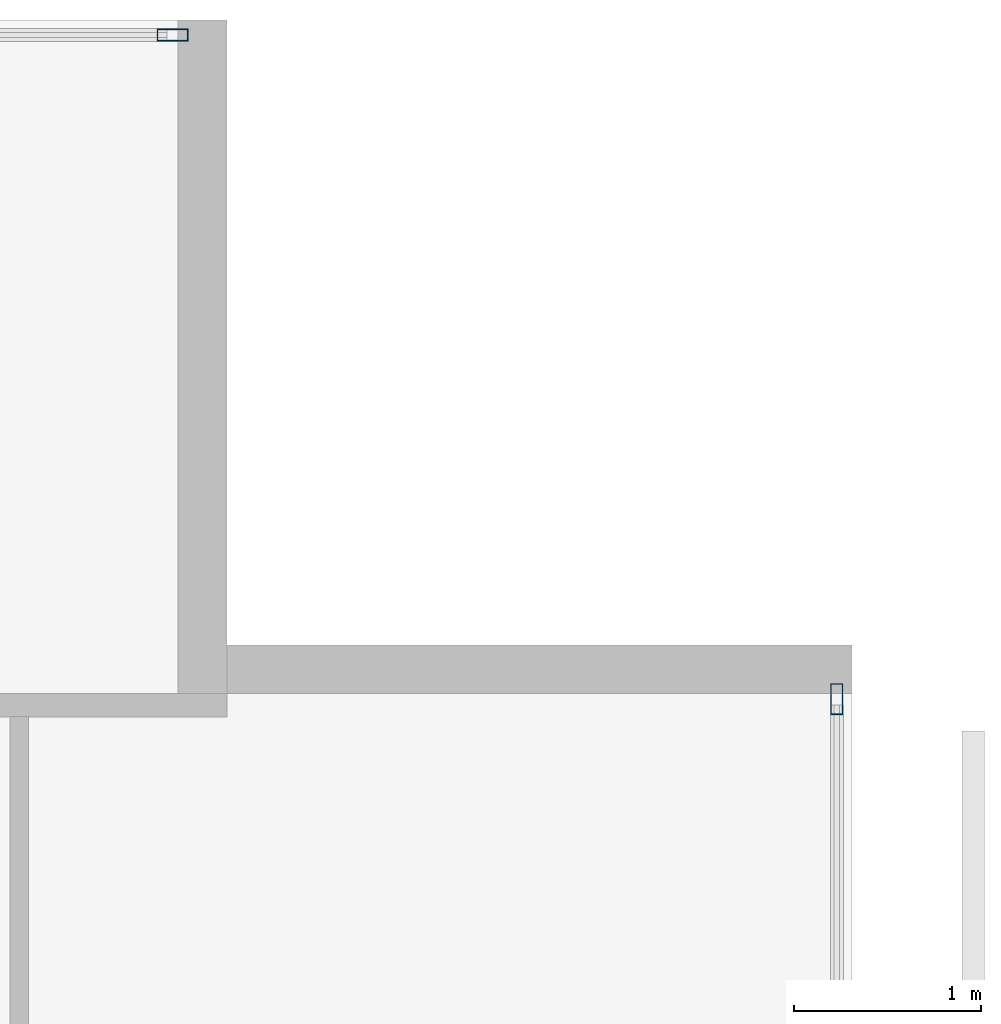
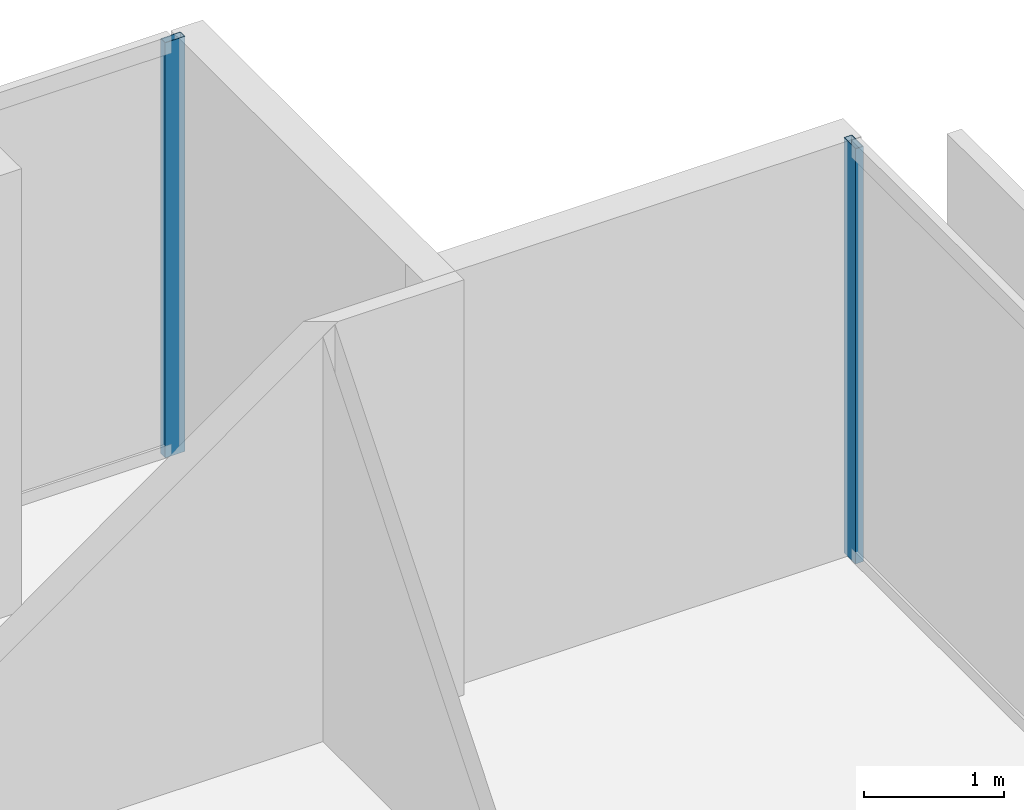
# One storey, part 31 of 39: 2 members, 2 elements without a shape of their own.
"""IFC4 building model written with IfcOpenShell, lengths in metres."""

from ifc_helpers import new_model, si_unit, direction, frame, origin, origin_2d, place, context, subcontext, project, spatial, hollow_rectangle, extrude, material, layer, layer_set, material_profile, profile_set, type_object, element, aggregate, save


model = new_model("IFC4")

# Units and contexts
model_context = context("Model", 3, precision=1e-05, world=origin(), true_north=direction((0.0, 1.0)))
body_context = subcontext(model_context, "Body", "Model", "MODEL_VIEW")
ifc_project = project(units=[si_unit("LENGTHUNIT", "METRE"), si_unit("AREAUNIT", "SQUARE_METRE"), si_unit("VOLUMEUNIT", "CUBIC_METRE"), si_unit("PLANEANGLEUNIT", "RADIAN"), si_unit("MASSUNIT", "GRAM", prefix="KILO")], contexts=[model_context])

# Site, building, storey
site_placement = place(None, origin())
site = spatial("IfcSite", under=ifc_project, at=site_placement, CompositionType="ELEMENT")
building_placement = place(site_placement, origin())
building = spatial("IfcBuilding", under=site, at=building_placement, Name="Maruvema Waterfront Hotel and Observation Tower", CompositionType="ELEMENT")
storey_placement = place(building_placement, frame((0.0, 0.0, 46.199951171875)))
storey = spatial("IfcBuildingStorey", under=building, at=storey_placement, Name="L10", CompositionType="ELEMENT", Elevation=46.199951171875)

# Curtain wall, member
ifc_material_1 = material(Name="Anodised bronze aluminium and solar-control low-E IGU", Category="aluminium")
ifc_layer = layer(ifc_material_1, 0.159912109375, Name="Zone 1 Bronze Inner Thermal Curtain Wall System CW-02")
ifc_layer_set = layer_set([ifc_layer], Name="Anodised bronze aluminium and solar-control low-E IGU")
curtain_wall_type = type_object("IfcCurtainWallType", Name="Zone 1 Bronze Inner Thermal Curtain Wall System CW-02", PredefinedType="USERDEFINED", material=ifc_layer_set)
curtain_wall_1_placement = place(storey_placement, origin())
curtain_wall_1 = element("IfcCurtainWall", 1, at=curtain_wall_1_placement, inside=storey, type_object=curtain_wall_type, Name="L10 Curtain Wall CW-L10-E", ObjectType="UNITISED CURTAIN WALL", PredefinedType="USERDEFINED")
ifc_material_2 = material(Name="Anodised architectural bronze aluminium", Category="aluminium")
ifc_material_profile = material_profile(ifc_material_2, hollow_rectangle(XDim=0.06494140625, YDim=0.1650390625, WallThickness=0.00390625, at=origin_2d()), Name="ALU-M65x165")
ifc_profile_set = profile_set([ifc_material_profile], Name="Anodised architectural bronze aluminium")
member_type = type_object("IfcMemberType", Name="Curtain Wall Primary Mullion ALU-M65x165", PredefinedType="MULLION", material=ifc_profile_set)
member_1_placement = place(storey_placement, frame((64.719970703125, 50.3701171875, 0.0), z_axis=(0.0, 0.0, 1.0), x_axis=(-1.0, 0.0, 0.0)))
member_1 = element("IfcMember", 2, at=member_1_placement, type_object=member_type, Name="CW-02 mullion 7", PredefinedType="MULLION", context=body_context, shape_type="SweptSolid", body=[
    extrude(hollow_rectangle(XDim=0.06494140625, YDim=0.1650390625, WallThickness=0.00390625, at=origin_2d()), origin(), (0.0, 0.0, 1.0), 3.610107421875),
])
aggregate(curtain_wall_1, [member_1])

curtain_wall_2_placement = place(storey_placement, origin())
curtain_wall_2 = element("IfcCurtainWall", 3, at=curtain_wall_2_placement, inside=storey, type_object=curtain_wall_type, Name="L10 Curtain Wall CW-L10-NE", ObjectType="UNITISED CURTAIN WALL", PredefinedType="USERDEFINED")
member_2_placement = place(storey_placement, frame((61.169921875, 53.919921875, 0.0), z_axis=(0.0, 0.0, 1.0), x_axis=(0.0, -1.0, 0.0)))
member_2 = element("IfcMember", 4, at=member_2_placement, type_object=member_type, Name="CW-02 mullion 1", PredefinedType="MULLION", context=body_context, shape_type="SweptSolid", body=[
    extrude(hollow_rectangle(XDim=0.06494140625, YDim=0.1650390625, WallThickness=0.00390625, at=origin_2d()), origin(), (0.0, 0.0, 1.0), 3.610107421875),
])
aggregate(curtain_wall_2, [member_2])

save(model, "model.ifc")
